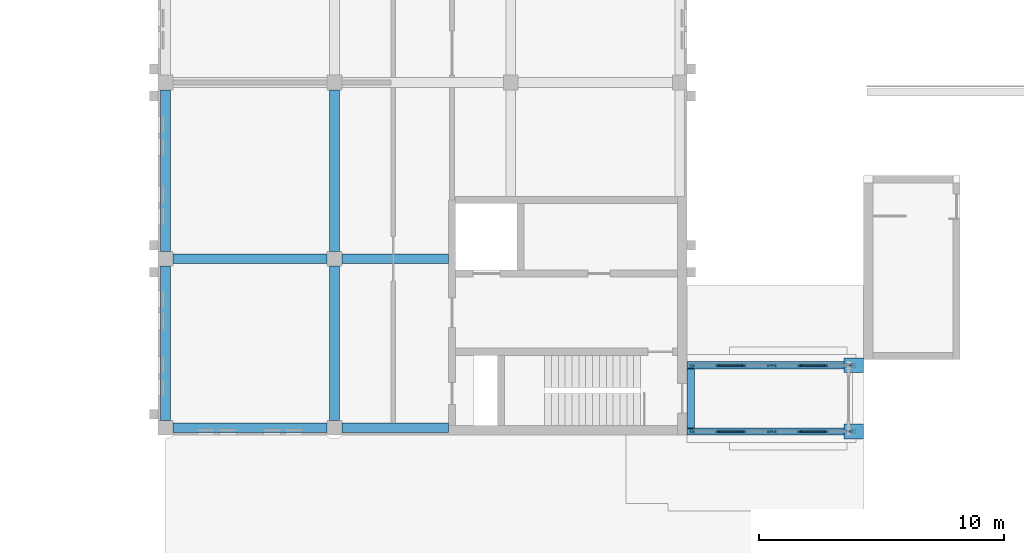
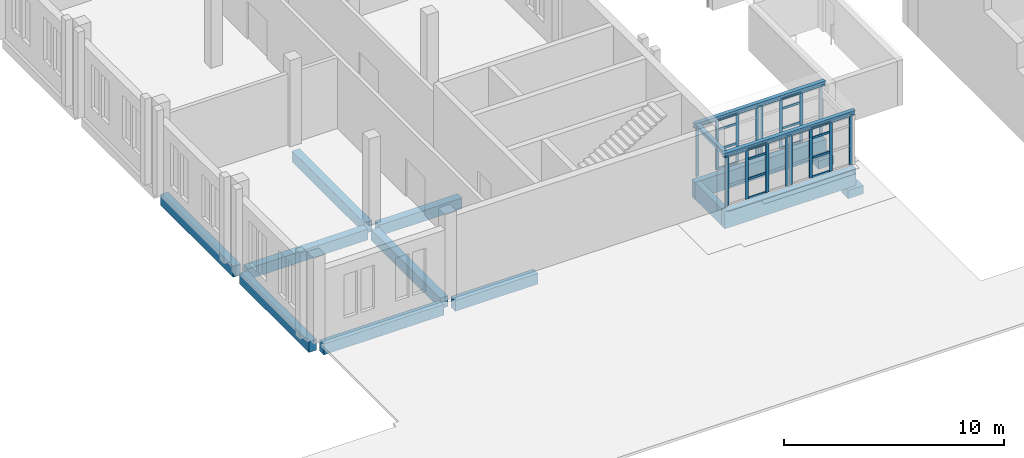
# One storey, part 32 of 131: 32 members, 16 beams, 4 elements without a shape of their own.
"""IFC4 building model written with IfcOpenShell, lengths in metres."""

from ifc_helpers import new_model, si_unit, direction, frame, origin, origin_2d, place, context, subcontext, project, spatial, rectangle, i_section, extrude, material, layer, layer_set, material_profile, profile_set, type_object, element, aggregate, save


model = new_model("IFC4")

# Units and contexts
model_context = context("Model", 3, precision=1e-05, world=origin(), true_north=direction((0.0, 1.0)))
body_context = subcontext(model_context, "Body", "Model", "MODEL_VIEW")
ifc_project = project(units=[si_unit("LENGTHUNIT", "METRE"), si_unit("AREAUNIT", "SQUARE_METRE"), si_unit("VOLUMEUNIT", "CUBIC_METRE"), si_unit("PLANEANGLEUNIT", "RADIAN"), si_unit("MASSUNIT", "GRAM", prefix="KILO")], contexts=[model_context])

# Site, building, storey
site_placement = place(None, origin())
site = spatial("IfcSite", under=ifc_project, at=site_placement, CompositionType="ELEMENT")
building_placement = place(site_placement, origin())
building = spatial("IfcBuilding", under=site, at=building_placement, Name="Alderwick Market Hall", CompositionType="ELEMENT")
storey_placement = place(building_placement, frame((0.0, 0.0, 4.800048828125)))
storey = spatial("IfcBuildingStorey", under=building, at=storey_placement, Name="L00", CompositionType="ELEMENT", Elevation=4.800048828125)

# Beams
ifc_material_1 = material(Name="Concrete 5000 psi (f'c 35 MPa)", Category="concrete")
ifc_material_profile_1 = material_profile(ifc_material_1, rectangle(XDim=0.39990234375, YDim=0.60009765625, at=origin_2d()), Name="B RC Beam 400x600")
ifc_profile_set_1 = profile_set([ifc_material_profile_1], Name="Concrete 5000 psi (f'c 35 MPa)")
beam_type_1 = type_object("IfcBeamType", Name="B RC Beam 400x600", PredefinedType="BEAM", material=ifc_profile_set_1)
beam_1_placement = place(storey_placement, frame((22.199951171875, 29.10009765625, -0.550048828125), z_axis=(1.0, 0.0, 0.0), x_axis=(0.0, 1.0, 0.0)))
element("IfcBeam", 1, at=beam_1_placement, inside=storey, type_object=beam_type_1, Name="B.S.beam.L00.u003-0006", PredefinedType="BEAM", context=body_context, shape_type="SweptSolid", body=[
    extrude(rectangle(XDim=0.39990234375, YDim=0.60009765625, at=origin_2d()), origin(), (0.0, 0.0, 1.0), 6.300048828125),
])
beam_2_placement = place(storey_placement, frame((29.10009765625, 29.10009765625, -0.550048828125), z_axis=(1.0, 0.0, 0.0), x_axis=(0.0, 1.0, 0.0)))
element("IfcBeam", 2, at=beam_2_placement, inside=storey, type_object=beam_type_1, Name="B.S.beam.L00.u003-0075", PredefinedType="BEAM", context=body_context, shape_type="SweptSolid", body=[
    extrude(rectangle(XDim=0.39990234375, YDim=0.60009765625, at=origin_2d()), origin(), (0.0, 0.0, 1.0), 4.349853515625),
])
beam_3_placement = place(storey_placement, frame((22.199951171875, 36.0, -0.550048828125), z_axis=(1.0, 0.0, 0.0), x_axis=(0.0, 1.0, 0.0)))
element("IfcBeam", 3, at=beam_3_placement, inside=storey, type_object=beam_type_1, Name="B.S.beam.L00.u072-0006", PredefinedType="BEAM", context=body_context, shape_type="SweptSolid", body=[
    extrude(rectangle(XDim=0.39990234375, YDim=0.60009765625, at=origin_2d()), origin(), (0.0, 0.0, 1.0), 6.300048828125),
])
beam_4_placement = place(storey_placement, frame((29.10009765625, 36.0, -0.550048828125), z_axis=(1.0, 0.0, 0.0), x_axis=(0.0, 1.0, 0.0)))
element("IfcBeam", 4, at=beam_4_placement, inside=storey, type_object=beam_type_1, Name="B.S.beam.L00.u072-0075", PredefinedType="BEAM", context=body_context, shape_type="SweptSolid", body=[
    extrude(rectangle(XDim=0.39990234375, YDim=0.60009765625, at=origin_2d()), origin(), (0.0, 0.0, 1.0), 4.349853515625),
])
beam_5_placement = place(storey_placement, frame((21.89990234375, 29.39990234375, -0.550048828125), z_axis=(0.0, 1.0, 0.0), x_axis=(-1.0, 0.0, 0.0)))
element("IfcBeam", 5, at=beam_5_placement, inside=storey, type_object=beam_type_1, Name="B.S.beam.L00.w003-0006", PredefinedType="BEAM", context=body_context, shape_type="SweptSolid", body=[
    extrude(rectangle(XDim=0.39990234375, YDim=0.60009765625, at=origin_2d()), origin(), (0.0, 0.0, 1.0), 6.300048828125),
])
beam_6_placement = place(storey_placement, frame((21.89990234375, 36.300048828125, -0.550048828125), z_axis=(0.0, 1.0, 0.0), x_axis=(-1.0, 0.0, 0.0)))
element("IfcBeam", 6, at=beam_6_placement, inside=storey, type_object=beam_type_1, Name="B.S.beam.L00.w003-0075", PredefinedType="BEAM", context=body_context, shape_type="SweptSolid", body=[
    extrude(rectangle(XDim=0.39990234375, YDim=0.60009765625, at=origin_2d()), origin(), (0.0, 0.0, 1.0), 6.599853515625),
])
beam_7_placement = place(storey_placement, frame((28.800048828125, 29.39990234375, -0.550048828125), z_axis=(0.0, 1.0, 0.0), x_axis=(-1.0, 0.0, 0.0)))
element("IfcBeam", 7, at=beam_7_placement, inside=storey, type_object=beam_type_1, Name="B.S.beam.L00.w072-0006", PredefinedType="BEAM", context=body_context, shape_type="SweptSolid", body=[
    extrude(rectangle(XDim=0.39990234375, YDim=0.60009765625, at=origin_2d()), origin(), (0.0, 0.0, 1.0), 6.300048828125),
])
beam_8_placement = place(storey_placement, frame((28.800048828125, 36.300048828125, -0.550048828125), z_axis=(0.0, 1.0, 0.0), x_axis=(-1.0, 0.0, 0.0)))
element("IfcBeam", 8, at=beam_8_placement, inside=storey, type_object=beam_type_1, Name="B.S.beam.L00.w072-0075", PredefinedType="BEAM", context=body_context, shape_type="SweptSolid", body=[
    extrude(rectangle(XDim=0.39990234375, YDim=0.60009765625, at=origin_2d()), origin(), (0.0, 0.0, 1.0), 6.599853515625),
])

# Curtain wall, members
ifc_material_2 = material(Name="Aluminium frame", Category="aluminium")
ifc_layer = layer(ifc_material_2, 0.10009765625)
ifc_layer_set = layer_set([ifc_layer], Name="Aluminium frame")
curtain_wall_type = type_object("IfcCurtainWallType", Name="P Curtain Wall 100", PredefinedType="NOTDEFINED", material=ifc_layer_set)
curtain_wall_1_placement = place(storey_placement, origin())
curtain_wall_1 = element("IfcCurtainWall", 9, at=curtain_wall_1_placement, inside=storey, type_object=curtain_wall_type, Name="P.P8.cw.a0", PredefinedType="NOTDEFINED")
ifc_material_profile_2 = material_profile(ifc_material_2, rectangle(XDim=0.06005859375, YDim=0.159912109375, at=origin_2d()), Name="P Mullion 60x160")
ifc_profile_set_2 = profile_set([ifc_material_profile_2], Name="Aluminium frame")
member_type_1 = type_object("IfcMemberType", Name="P Mullion 60x160", PredefinedType="MULLION", material=ifc_profile_set_2)
member_1_placement = place(storey_placement, frame((43.406005859375, 28.949951171875, 0.0), z_axis=(0.0, 0.0, 1.0), x_axis=(0.0, 1.0, 0.0)))
member_1 = element("IfcMember", 10, at=member_1_placement, type_object=member_type_1, Name="P-CW8a0 mullion 1", PredefinedType="MULLION", context=body_context, shape_type="SweptSolid", body=[
    extrude(rectangle(XDim=0.06005859375, YDim=0.159912109375, at=origin_2d()), origin(), (0.0, 0.0, 1.0), 2.7529296875),
])
member_2_placement = place(storey_placement, frame((44.44189453125, 28.949951171875, 0.0), z_axis=(0.0, 0.0, 1.0), x_axis=(0.0, 1.0, 0.0)))
member_2 = element("IfcMember", 11, at=member_2_placement, type_object=member_type_1, Name="P-CW8a0 mullion 2", PredefinedType="MULLION", context=body_context, shape_type="SweptSolid", body=[
    extrude(rectangle(XDim=0.06005859375, YDim=0.159912109375, at=origin_2d()), origin(), (0.0, 0.0, 1.0), 2.7529296875),
])
member_3_placement = place(storey_placement, frame((45.508056640625, 28.949951171875, 0.0), z_axis=(0.0, 0.0, 1.0), x_axis=(0.0, 1.0, 0.0)))
member_3 = element("IfcMember", 12, at=member_3_placement, type_object=member_type_1, Name="P-CW8a0 mullion 3", PredefinedType="MULLION", context=body_context, shape_type="SweptSolid", body=[
    extrude(rectangle(XDim=0.06005859375, YDim=0.159912109375, at=origin_2d()), origin(), (0.0, 0.0, 1.0), 2.7529296875),
])
member_4_placement = place(storey_placement, frame((46.5439453125, 28.949951171875, 0.0), z_axis=(0.0, 0.0, 1.0), x_axis=(0.0, 1.0, 0.0)))
member_4 = element("IfcMember", 13, at=member_4_placement, type_object=member_type_1, Name="P-CW8a0 mullion 4", PredefinedType="MULLION", context=body_context, shape_type="SweptSolid", body=[
    extrude(rectangle(XDim=0.06005859375, YDim=0.159912109375, at=origin_2d()), origin(), (0.0, 0.0, 1.0), 2.7529296875),
])

curtain_wall_2_placement = place(storey_placement, origin())
curtain_wall_2 = element("IfcCurtainWall", 14, at=curtain_wall_2_placement, inside=storey, type_object=curtain_wall_type, Name="P.P8.cw.a1", PredefinedType="NOTDEFINED")
member_5_placement = place(storey_placement, frame((46.756103515625, 28.949951171875, 0.0), z_axis=(0.0, 0.0, 1.0), x_axis=(0.0, 1.0, 0.0)))
member_5 = element("IfcMember", 15, at=member_5_placement, type_object=member_type_1, Name="P-CW8a1 mullion 1", PredefinedType="MULLION", context=body_context, shape_type="SweptSolid", body=[
    extrude(rectangle(XDim=0.06005859375, YDim=0.159912109375, at=origin_2d()), origin(), (0.0, 0.0, 1.0), 2.7529296875),
])
member_6_placement = place(storey_placement, frame((47.7919921875, 28.949951171875, 0.0), z_axis=(0.0, 0.0, 1.0), x_axis=(0.0, 1.0, 0.0)))
member_6 = element("IfcMember", 16, at=member_6_placement, type_object=member_type_1, Name="P-CW8a1 mullion 2", PredefinedType="MULLION", context=body_context, shape_type="SweptSolid", body=[
    extrude(rectangle(XDim=0.06005859375, YDim=0.159912109375, at=origin_2d()), origin(), (0.0, 0.0, 1.0), 2.7529296875),
])
member_7_placement = place(storey_placement, frame((48.85791015625, 28.949951171875, 0.0), z_axis=(0.0, 0.0, 1.0), x_axis=(0.0, 1.0, 0.0)))
member_7 = element("IfcMember", 17, at=member_7_placement, type_object=member_type_1, Name="P-CW8a1 mullion 3", PredefinedType="MULLION", context=body_context, shape_type="SweptSolid", body=[
    extrude(rectangle(XDim=0.06005859375, YDim=0.159912109375, at=origin_2d()), origin(), (0.0, 0.0, 1.0), 2.7529296875),
])
member_8_placement = place(storey_placement, frame((49.89404296875, 28.949951171875, 0.0), z_axis=(0.0, 0.0, 1.0), x_axis=(0.0, 1.0, 0.0)))
member_8 = element("IfcMember", 18, at=member_8_placement, type_object=member_type_1, Name="P-CW8a1 mullion 4", PredefinedType="MULLION", context=body_context, shape_type="SweptSolid", body=[
    extrude(rectangle(XDim=0.06005859375, YDim=0.159912109375, at=origin_2d()), origin(), (0.0, 0.0, 1.0), 2.7529296875),
])

curtain_wall_3_placement = place(storey_placement, origin())
curtain_wall_3 = element("IfcCurtainWall", 19, at=curtain_wall_3_placement, inside=storey, type_object=curtain_wall_type, Name="P.P8.cw.b0", PredefinedType="NOTDEFINED")
member_9_placement = place(storey_placement, frame((43.406005859375, 31.64990234375, 0.0), z_axis=(0.0, 0.0, 1.0), x_axis=(0.0, 1.0, 0.0)))
member_9 = element("IfcMember", 20, at=member_9_placement, type_object=member_type_1, Name="P-CW8b0 mullion 1", PredefinedType="MULLION", context=body_context, shape_type="SweptSolid", body=[
    extrude(rectangle(XDim=0.06005859375, YDim=0.159912109375, at=origin_2d()), origin(), (0.0, 0.0, 1.0), 2.7529296875),
])
member_10_placement = place(storey_placement, frame((44.44189453125, 31.64990234375, 0.0), z_axis=(0.0, 0.0, 1.0), x_axis=(0.0, 1.0, 0.0)))
member_10 = element("IfcMember", 21, at=member_10_placement, type_object=member_type_1, Name="P-CW8b0 mullion 2", PredefinedType="MULLION", context=body_context, shape_type="SweptSolid", body=[
    extrude(rectangle(XDim=0.06005859375, YDim=0.159912109375, at=origin_2d()), origin(), (0.0, 0.0, 1.0), 2.7529296875),
])
member_11_placement = place(storey_placement, frame((45.508056640625, 31.64990234375, 0.0), z_axis=(0.0, 0.0, 1.0), x_axis=(0.0, 1.0, 0.0)))
member_11 = element("IfcMember", 22, at=member_11_placement, type_object=member_type_1, Name="P-CW8b0 mullion 3", PredefinedType="MULLION", context=body_context, shape_type="SweptSolid", body=[
    extrude(rectangle(XDim=0.06005859375, YDim=0.159912109375, at=origin_2d()), origin(), (0.0, 0.0, 1.0), 2.7529296875),
])
member_12_placement = place(storey_placement, frame((46.5439453125, 31.64990234375, 0.0), z_axis=(0.0, 0.0, 1.0), x_axis=(0.0, 1.0, 0.0)))
member_12 = element("IfcMember", 23, at=member_12_placement, type_object=member_type_1, Name="P-CW8b0 mullion 4", PredefinedType="MULLION", context=body_context, shape_type="SweptSolid", body=[
    extrude(rectangle(XDim=0.06005859375, YDim=0.159912109375, at=origin_2d()), origin(), (0.0, 0.0, 1.0), 2.7529296875),
])

curtain_wall_4_placement = place(storey_placement, origin())
curtain_wall_4 = element("IfcCurtainWall", 24, at=curtain_wall_4_placement, inside=storey, type_object=curtain_wall_type, Name="P.P8.cw.b1", PredefinedType="NOTDEFINED")
member_13_placement = place(storey_placement, frame((46.756103515625, 31.64990234375, 0.0), z_axis=(0.0, 0.0, 1.0), x_axis=(0.0, 1.0, 0.0)))
member_13 = element("IfcMember", 25, at=member_13_placement, type_object=member_type_1, Name="P-CW8b1 mullion 1", PredefinedType="MULLION", context=body_context, shape_type="SweptSolid", body=[
    extrude(rectangle(XDim=0.06005859375, YDim=0.159912109375, at=origin_2d()), origin(), (0.0, 0.0, 1.0), 2.7529296875),
])
member_14_placement = place(storey_placement, frame((47.7919921875, 31.64990234375, 0.0), z_axis=(0.0, 0.0, 1.0), x_axis=(0.0, 1.0, 0.0)))
member_14 = element("IfcMember", 26, at=member_14_placement, type_object=member_type_1, Name="P-CW8b1 mullion 2", PredefinedType="MULLION", context=body_context, shape_type="SweptSolid", body=[
    extrude(rectangle(XDim=0.06005859375, YDim=0.159912109375, at=origin_2d()), origin(), (0.0, 0.0, 1.0), 2.7529296875),
])
member_15_placement = place(storey_placement, frame((48.85791015625, 31.64990234375, 0.0), z_axis=(0.0, 0.0, 1.0), x_axis=(0.0, 1.0, 0.0)))
member_15 = element("IfcMember", 27, at=member_15_placement, type_object=member_type_1, Name="P-CW8b1 mullion 3", PredefinedType="MULLION", context=body_context, shape_type="SweptSolid", body=[
    extrude(rectangle(XDim=0.06005859375, YDim=0.159912109375, at=origin_2d()), origin(), (0.0, 0.0, 1.0), 2.7529296875),
])
member_16_placement = place(storey_placement, frame((49.89404296875, 31.64990234375, 0.0), z_axis=(0.0, 0.0, 1.0), x_axis=(0.0, 1.0, 0.0)))
member_16 = element("IfcMember", 28, at=member_16_placement, type_object=member_type_1, Name="P-CW8b1 mullion 4", PredefinedType="MULLION", context=body_context, shape_type="SweptSolid", body=[
    extrude(rectangle(XDim=0.06005859375, YDim=0.159912109375, at=origin_2d()), origin(), (0.0, 0.0, 1.0), 2.7529296875),
])

# Beams
ifc_material_profile_3 = material_profile(ifc_material_1, rectangle(XDim=0.60009765625, YDim=0.449951171875, at=origin_2d()), Name="P RC Bearing Corbel 600x450")
ifc_profile_set_3 = profile_set([ifc_material_profile_3], Name="Concrete 5000 psi (f'c 35 MPa)")
beam_type_2 = type_object("IfcBeamType", Name="P RC Bearing Corbel 600x450", PredefinedType="USERDEFINED", material=ifc_profile_set_3)
for number, where, z_axis, x_axis, name in (
    (29, (49.60009765625, 28.949951171875, -1.39306640625), (1.0, 0.0, 0.0), (0.0, 1.0, 0.0), "Bearing corbel"),
    (30, (49.60009765625, 31.64990234375, -1.39306640625), (1.0, 0.0, 0.0), (0.0, 1.0, 0.0), "Bearing corbel"),
):
    element("IfcBeam", number, at=place(storey_placement, frame(where, z_axis=z_axis, x_axis=x_axis)), inside=storey, type_object=beam_type_2, Name=name, ObjectType="CORBEL", PredefinedType="USERDEFINED", context=body_context, shape_type="SweptSolid", body=[
        extrude(rectangle(XDim=0.60009765625, YDim=0.449951171875, at=origin_2d()), origin(), (0.0, 0.0, 1.0), 0.7998046875),
    ])
ifc_material_profile_4 = material_profile(ifc_material_1, rectangle(XDim=0.300048828125, YDim=0.949951171875, at=origin_2d()), Name="P RC Edge Girder 300x950")
ifc_profile_set_4 = profile_set([ifc_material_profile_4], Name="Concrete 5000 psi (f'c 35 MPa)")
beam_type_3 = type_object("IfcBeamType", Name="P RC Edge Girder 300x950", PredefinedType="BEAM", material=ifc_profile_set_4)
for number, where, z_axis, x_axis, name in (
    (31, (43.199951171875, 28.949951171875, -0.675048828125), (1.0, 0.0, 0.0), (0.0, 1.0, 0.0), "P.P8.girder.a"),
    (32, (43.199951171875, 31.64990234375, -0.675048828125), (1.0, 0.0, 0.0), (0.0, 1.0, 0.0), "P.P8.girder.b"),
):
    element("IfcBeam", number, at=place(storey_placement, frame(where, z_axis=z_axis, x_axis=x_axis)), inside=storey, type_object=beam_type_3, Name=name, PredefinedType="BEAM", context=body_context, shape_type="SweptSolid", body=[
        extrude(rectangle(XDim=0.300048828125, YDim=0.949951171875, at=origin_2d()), origin(), (0.0, 0.0, 1.0), 6.900146484375),
    ])
beam_9_placement = place(storey_placement, frame((43.35009765625, 29.10009765625, -0.675048828125), z_axis=(0.0, 1.0, 0.0), x_axis=(-1.0, 0.0, 0.0)))
element("IfcBeam", 33, at=beam_9_placement, inside=storey, type_object=beam_type_3, Name="Passage tie girder", PredefinedType="BEAM", context=body_context, shape_type="SweptSolid", body=[
    extrude(rectangle(XDim=0.300048828125, YDim=0.949951171875, at=origin_2d()), origin(), (0.0, 0.0, 1.0), 2.39990234375),
])
ifc_material_3 = material(Name="Steel ASTM A992 Grade 50", Category="steel")
ifc_material_profile_5 = material_profile(ifc_material_3, i_section(OverallWidth=0.201904296875, OverallDepth=0.2470703125, WebThickness=0.00732421875, FlangeThickness=0.010986328125, at=origin_2d()), Name="W250x49")
ifc_profile_set_5 = profile_set([ifc_material_profile_5], Name="Steel ASTM A992 Grade 50")
beam_type_4 = type_object("IfcBeamType", Name="P Roof Beam W250x49", PredefinedType="BEAM", material=ifc_profile_set_5)
for number, where, z_axis, x_axis, name in (
    (34, (43.199951171875, 28.949951171875, 2.87646484375), (1.0, 0.0, 0.0), (0.0, 1.0, 0.0), "P.P8.rbeam.a"),
    (35, (43.199951171875, 31.64990234375, 2.87646484375), (1.0, 0.0, 0.0), (0.0, 1.0, 0.0), "P.P8.rbeam.b"),
):
    element("IfcBeam", number, at=place(storey_placement, frame(where, z_axis=z_axis, x_axis=x_axis)), inside=storey, type_object=beam_type_4, Name=name, PredefinedType="BEAM", context=body_context, shape_type="SweptSolid", body=[
        extrude(i_section(OverallWidth=0.201904296875, OverallDepth=0.2470703125, WebThickness=0.00732421875, FlangeThickness=0.010986328125, at=origin_2d()), origin(), (0.0, 0.0, 1.0), 6.900146484375),
    ])
beam_10_placement = place(storey_placement, frame((43.35009765625, 29.051025390625, 2.87646484375), z_axis=(0.0, 1.0, 0.0), x_axis=(-1.0, 0.0, 0.0)))
element("IfcBeam", 36, at=beam_10_placement, inside=storey, type_object=beam_type_4, Name="Passage tie beam", PredefinedType="BEAM", context=body_context, shape_type="SweptSolid", body=[
    extrude(i_section(OverallWidth=0.201904296875, OverallDepth=0.2470703125, WebThickness=0.00732421875, FlangeThickness=0.010986328125, at=origin_2d()), origin(), (0.0, 0.0, 1.0), 2.498046875),
])

# Member
ifc_material_profile_6 = material_profile(ifc_material_2, rectangle(XDim=0.06005859375, YDim=0.1201171875, at=origin_2d()), Name="P Transom 60x120")
ifc_profile_set_6 = profile_set([ifc_material_profile_6], Name="Aluminium frame")
member_type_2 = type_object("IfcMemberType", Name="P Transom 60x120", PredefinedType="USERDEFINED", material=ifc_profile_set_6)
member_17_placement = place(storey_placement, frame((44.471923828125, 28.949951171875, 0.030029296875), z_axis=(1.0, 0.0, 0.0), x_axis=(0.0, 1.0, 0.0)))
member_17 = element("IfcMember", 37, at=member_17_placement, type_object=member_type_2, Name="P-CW8a0 transom 2.1", ObjectType="TRANSOM", PredefinedType="USERDEFINED", context=body_context, shape_type="SweptSolid", body=[
    extrude(rectangle(XDim=0.06005859375, YDim=0.1201171875, at=origin_2d()), origin(), (0.0, 0.0, 1.0), 1.006103515625),
])

member_18_placement = place(storey_placement, frame((44.471923828125, 28.949951171875, 1.099853515625), z_axis=(1.0, 0.0, 0.0), x_axis=(0.0, 1.0, 0.0)))
member_18 = element("IfcMember", 38, at=member_18_placement, type_object=member_type_2, Name="P-CW8a0 transom 2.2", ObjectType="TRANSOM", PredefinedType="USERDEFINED", context=body_context, shape_type="SweptSolid", body=[
    extrude(rectangle(XDim=0.06005859375, YDim=0.1201171875, at=origin_2d()), origin(), (0.0, 0.0, 1.0), 1.006103515625),
])

member_19_placement = place(storey_placement, frame((44.471923828125, 28.949951171875, 2.199951171875), z_axis=(1.0, 0.0, 0.0), x_axis=(0.0, 1.0, 0.0)))
member_19 = element("IfcMember", 39, at=member_19_placement, type_object=member_type_2, Name="P-CW8a0 transom 2.3", ObjectType="TRANSOM", PredefinedType="USERDEFINED", context=body_context, shape_type="SweptSolid", body=[
    extrude(rectangle(XDim=0.06005859375, YDim=0.1201171875, at=origin_2d()), origin(), (0.0, 0.0, 1.0), 1.006103515625),
])

member_20_placement = place(storey_placement, frame((44.471923828125, 28.949951171875, 2.722900390625), z_axis=(1.0, 0.0, 0.0), x_axis=(0.0, 1.0, 0.0)))
member_20 = element("IfcMember", 40, at=member_20_placement, type_object=member_type_2, Name="P-CW8a0 transom 2.4", ObjectType="TRANSOM", PredefinedType="USERDEFINED", context=body_context, shape_type="SweptSolid", body=[
    extrude(rectangle(XDim=0.06005859375, YDim=0.1201171875, at=origin_2d()), origin(), (0.0, 0.0, 1.0), 1.006103515625),
])

aggregate(curtain_wall_1, [member_1, member_2, member_3, member_4, member_17, member_18, member_19, member_20])

member_21_placement = place(storey_placement, frame((47.822021484375, 28.949951171875, 0.030029296875), z_axis=(1.0, 0.0, 0.0), x_axis=(0.0, 1.0, 0.0)))
member_21 = element("IfcMember", 41, at=member_21_placement, type_object=member_type_2, Name="P-CW8a1 transom 2.1", ObjectType="TRANSOM", PredefinedType="USERDEFINED", context=body_context, shape_type="SweptSolid", body=[
    extrude(rectangle(XDim=0.06005859375, YDim=0.1201171875, at=origin_2d()), origin(), (0.0, 0.0, 1.0), 1.005859375),
])

member_22_placement = place(storey_placement, frame((47.822021484375, 28.949951171875, 1.099853515625), z_axis=(1.0, 0.0, 0.0), x_axis=(0.0, 1.0, 0.0)))
member_22 = element("IfcMember", 42, at=member_22_placement, type_object=member_type_2, Name="P-CW8a1 transom 2.2", ObjectType="TRANSOM", PredefinedType="USERDEFINED", context=body_context, shape_type="SweptSolid", body=[
    extrude(rectangle(XDim=0.06005859375, YDim=0.1201171875, at=origin_2d()), origin(), (0.0, 0.0, 1.0), 1.005859375),
])

member_23_placement = place(storey_placement, frame((47.822021484375, 28.949951171875, 2.199951171875), z_axis=(1.0, 0.0, 0.0), x_axis=(0.0, 1.0, 0.0)))
member_23 = element("IfcMember", 43, at=member_23_placement, type_object=member_type_2, Name="P-CW8a1 transom 2.3", ObjectType="TRANSOM", PredefinedType="USERDEFINED", context=body_context, shape_type="SweptSolid", body=[
    extrude(rectangle(XDim=0.06005859375, YDim=0.1201171875, at=origin_2d()), origin(), (0.0, 0.0, 1.0), 1.005859375),
])

member_24_placement = place(storey_placement, frame((47.822021484375, 28.949951171875, 2.722900390625), z_axis=(1.0, 0.0, 0.0), x_axis=(0.0, 1.0, 0.0)))
member_24 = element("IfcMember", 44, at=member_24_placement, type_object=member_type_2, Name="P-CW8a1 transom 2.4", ObjectType="TRANSOM", PredefinedType="USERDEFINED", context=body_context, shape_type="SweptSolid", body=[
    extrude(rectangle(XDim=0.06005859375, YDim=0.1201171875, at=origin_2d()), origin(), (0.0, 0.0, 1.0), 1.005859375),
])

aggregate(curtain_wall_2, [member_5, member_6, member_7, member_8, member_21, member_22, member_23, member_24])

member_25_placement = place(storey_placement, frame((44.471923828125, 31.64990234375, 0.030029296875), z_axis=(1.0, 0.0, 0.0), x_axis=(0.0, 1.0, 0.0)))
member_25 = element("IfcMember", 45, at=member_25_placement, type_object=member_type_2, Name="P-CW8b0 transom 2.1", ObjectType="TRANSOM", PredefinedType="USERDEFINED", context=body_context, shape_type="SweptSolid", body=[
    extrude(rectangle(XDim=0.06005859375, YDim=0.1201171875, at=origin_2d()), origin(), (0.0, 0.0, 1.0), 1.006103515625),
])

member_26_placement = place(storey_placement, frame((44.471923828125, 31.64990234375, 1.099853515625), z_axis=(1.0, 0.0, 0.0), x_axis=(0.0, 1.0, 0.0)))
member_26 = element("IfcMember", 46, at=member_26_placement, type_object=member_type_2, Name="P-CW8b0 transom 2.2", ObjectType="TRANSOM", PredefinedType="USERDEFINED", context=body_context, shape_type="SweptSolid", body=[
    extrude(rectangle(XDim=0.06005859375, YDim=0.1201171875, at=origin_2d()), origin(), (0.0, 0.0, 1.0), 1.006103515625),
])

member_27_placement = place(storey_placement, frame((44.471923828125, 31.64990234375, 2.199951171875), z_axis=(1.0, 0.0, 0.0), x_axis=(0.0, 1.0, 0.0)))
member_27 = element("IfcMember", 47, at=member_27_placement, type_object=member_type_2, Name="P-CW8b0 transom 2.3", ObjectType="TRANSOM", PredefinedType="USERDEFINED", context=body_context, shape_type="SweptSolid", body=[
    extrude(rectangle(XDim=0.06005859375, YDim=0.1201171875, at=origin_2d()), origin(), (0.0, 0.0, 1.0), 1.006103515625),
])

member_28_placement = place(storey_placement, frame((44.471923828125, 31.64990234375, 2.722900390625), z_axis=(1.0, 0.0, 0.0), x_axis=(0.0, 1.0, 0.0)))
member_28 = element("IfcMember", 48, at=member_28_placement, type_object=member_type_2, Name="P-CW8b0 transom 2.4", ObjectType="TRANSOM", PredefinedType="USERDEFINED", context=body_context, shape_type="SweptSolid", body=[
    extrude(rectangle(XDim=0.06005859375, YDim=0.1201171875, at=origin_2d()), origin(), (0.0, 0.0, 1.0), 1.006103515625),
])

aggregate(curtain_wall_3, [member_9, member_10, member_11, member_12, member_25, member_26, member_27, member_28])

member_29_placement = place(storey_placement, frame((47.822021484375, 31.64990234375, 0.030029296875), z_axis=(1.0, 0.0, 0.0), x_axis=(0.0, 1.0, 0.0)))
member_29 = element("IfcMember", 49, at=member_29_placement, type_object=member_type_2, Name="P-CW8b1 transom 2.1", ObjectType="TRANSOM", PredefinedType="USERDEFINED", context=body_context, shape_type="SweptSolid", body=[
    extrude(rectangle(XDim=0.06005859375, YDim=0.1201171875, at=origin_2d()), origin(), (0.0, 0.0, 1.0), 1.005859375),
])

member_30_placement = place(storey_placement, frame((47.822021484375, 31.64990234375, 1.099853515625), z_axis=(1.0, 0.0, 0.0), x_axis=(0.0, 1.0, 0.0)))
member_30 = element("IfcMember", 50, at=member_30_placement, type_object=member_type_2, Name="P-CW8b1 transom 2.2", ObjectType="TRANSOM", PredefinedType="USERDEFINED", context=body_context, shape_type="SweptSolid", body=[
    extrude(rectangle(XDim=0.06005859375, YDim=0.1201171875, at=origin_2d()), origin(), (0.0, 0.0, 1.0), 1.005859375),
])

member_31_placement = place(storey_placement, frame((47.822021484375, 31.64990234375, 2.199951171875), z_axis=(1.0, 0.0, 0.0), x_axis=(0.0, 1.0, 0.0)))
member_31 = element("IfcMember", 51, at=member_31_placement, type_object=member_type_2, Name="P-CW8b1 transom 2.3", ObjectType="TRANSOM", PredefinedType="USERDEFINED", context=body_context, shape_type="SweptSolid", body=[
    extrude(rectangle(XDim=0.06005859375, YDim=0.1201171875, at=origin_2d()), origin(), (0.0, 0.0, 1.0), 1.005859375),
])

member_32_placement = place(storey_placement, frame((47.822021484375, 31.64990234375, 2.722900390625), z_axis=(1.0, 0.0, 0.0), x_axis=(0.0, 1.0, 0.0)))
member_32 = element("IfcMember", 52, at=member_32_placement, type_object=member_type_2, Name="P-CW8b1 transom 2.4", ObjectType="TRANSOM", PredefinedType="USERDEFINED", context=body_context, shape_type="SweptSolid", body=[
    extrude(rectangle(XDim=0.06005859375, YDim=0.1201171875, at=origin_2d()), origin(), (0.0, 0.0, 1.0), 1.005859375),
])

aggregate(curtain_wall_4, [member_13, member_14, member_15, member_16, member_29, member_30, member_31, member_32])

save(model, "model.ifc")
